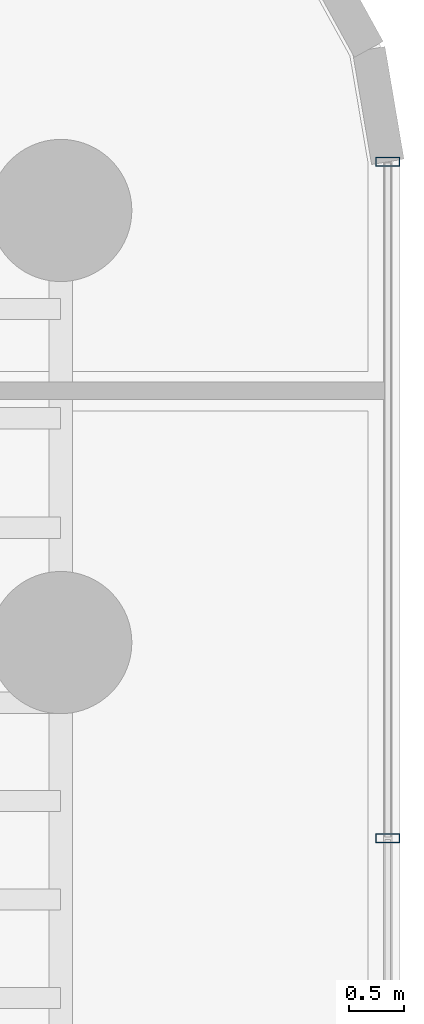
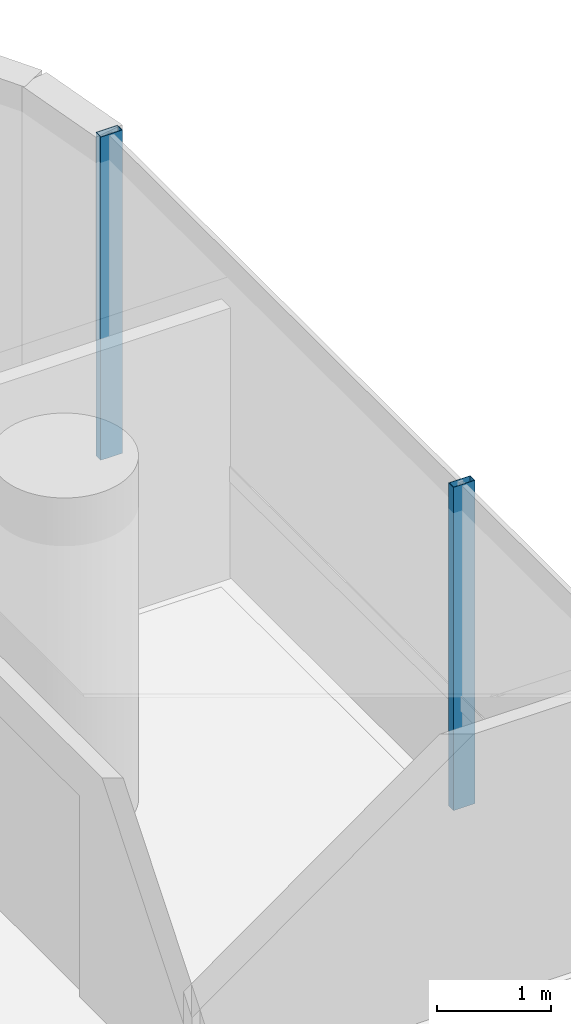
# One storey, part 28 of 41: 2 members, 1 element without a shape of its own.
"""IFC4 building model written with IfcOpenShell, lengths in metres."""

from ifc_helpers import new_model, si_unit, direction, frame, origin, origin_2d, place, context, subcontext, project, spatial, hollow_rectangle, extrude, source, transform, mapped, material, material_profile, profile_set, type_object, element, aggregate, save


model = new_model("IFC4")

# Units and contexts
model_context = context("Model", 3, precision=1e-05, world=origin(), true_north=direction((0.0, 1.0)))
body_context = subcontext(model_context, "Body", "Model", "MODEL_VIEW")
ifc_project = project(units=[si_unit("LENGTHUNIT", "METRE"), si_unit("AREAUNIT", "SQUARE_METRE"), si_unit("VOLUMEUNIT", "CUBIC_METRE"), si_unit("PLANEANGLEUNIT", "RADIAN"), si_unit("MASSUNIT", "GRAM", prefix="KILO")], contexts=[model_context])

# Site, building, storey
site_placement = place(None, origin())
site = spatial("IfcSite", under=ifc_project, at=site_placement, CompositionType="ELEMENT")
building_placement = place(site_placement, origin())
building = spatial("IfcBuilding", under=site, at=building_placement, Name="Valdorenza Pilgrim Sanctuary Tower", CompositionType="ELEMENT")
storey_placement = place(building_placement, frame((0.0, 0.0, 88.89990234375)))
storey = spatial("IfcBuildingStorey", under=building, at=storey_placement, Name="L22", CompositionType="ELEMENT", Elevation=88.89990234375)

# Curtain wall, members
ifc_material_1 = material(Name="Curtain-wall IGU glazing", Category="glass")
curtain_wall_type = type_object("IfcCurtainWallType", Name="CW-SYS-03", PredefinedType="NOTDEFINED", material=ifc_material_1)
curtain_wall_placement = place(storey_placement, origin())
curtain_wall = element("IfcCurtainWall", 1, at=curtain_wall_placement, inside=storey, type_object=curtain_wall_type, Name="L22 Curtain Wall CW-L22-1-21", PredefinedType="NOTDEFINED")
ifc_material_2 = material(Name="Anodised aluminium AW-6060", Category="aluminium")
ifc_material_profile = material_profile(ifc_material_2, hollow_rectangle(XDim=0.0849609375, YDim=0.219970703125, WallThickness=0.0048828125, at=origin_2d()), Name="ALU-M 220x85x5")
ifc_profile_set = profile_set([ifc_material_profile], Name="Anodised aluminium AW-6060")
member_type = type_object("IfcMemberType", Name="CW-MUL-03", PredefinedType="MULLION", material=ifc_profile_set)
shared_shape = source(origin(), body_context, "Body", "SweptSolid", [
    extrude(hollow_rectangle(XDim=0.0849609375, YDim=0.219970703125, WallThickness=0.0048828125, at=origin_2d()), origin(), (0.0, 0.0, 1.0), 3.460205078125),
])
member_1_placement = place(storey_placement, frame((31.389892578125, 13.945068359375, 0.0), z_axis=(0.0, 0.0, 1.0), x_axis=(0.0, -1.0, 0.0)))
member_1 = element("IfcMember", 2, at=member_1_placement, type_object=member_type, Name="CW-L22-1-21 Mullion 1", PredefinedType="MULLION", context=body_context, shape_type="MappedRepresentation", body=[
    mapped(shared_shape, transform((0.0, 0.0, 0.0), x_axis=(1.0, 0.0, 0.0), y_axis=(0.0, 1.0, 0.0), z_axis=(0.0, 0.0, 1.0), scale=1.0)),
])
member_2_placement = place(storey_placement, frame((31.389892578125, 7.761474609375, 0.0), z_axis=(0.0, 0.0, 1.0), x_axis=(0.0, -1.0, 0.0)))
member_2 = element("IfcMember", 3, at=member_2_placement, type_object=member_type, Name="CW-L22-1-21 Mullion 2", PredefinedType="MULLION", context=body_context, shape_type="MappedRepresentation", body=[
    mapped(shared_shape, transform((0.0, 0.0, 0.0), x_axis=(1.0, 0.0, 0.0), y_axis=(0.0, 1.0, 0.0), z_axis=(0.0, 0.0, 1.0), scale=1.0)),
])
aggregate(curtain_wall, [member_1, member_2])

save(model, "model.ifc")
